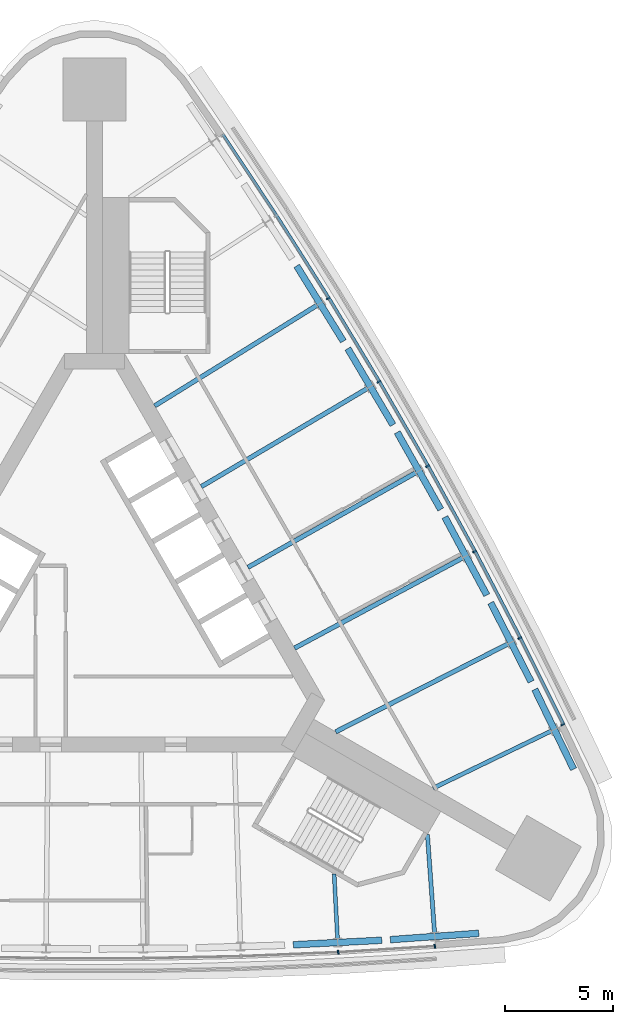
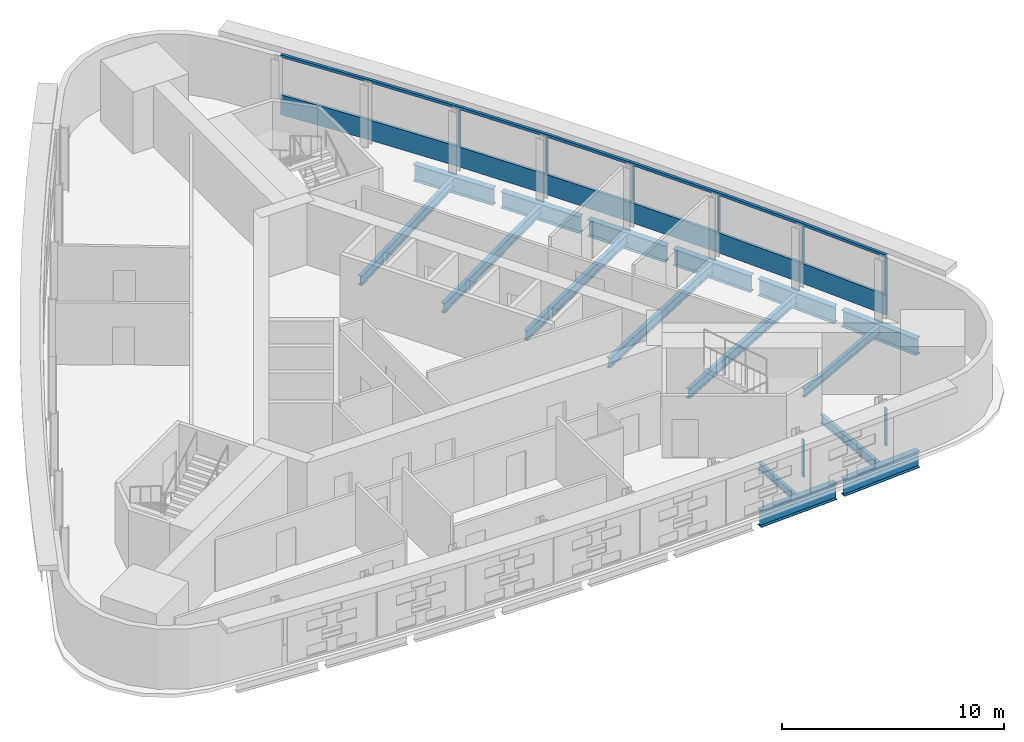
# One storey, part 5 of 12: 16 beams, 10 members, 2 elements without a shape of their own.
"""IFC4 building model written with IfcOpenShell, lengths in metres."""

import ifcopenshell
import ifcopenshell.guid

model = None  # the IFC model being written
_history = None  # IfcOwnerHistory: only IFC2X3 demands one
_inside = {}  # id of a spatial element -> (the spatial element, [elements in it])
_under = {}  # id of a project, library or spatial element -> (it, [spatial elements below it])
_declared = {}  # id of a project -> (the project, [libraries it declares])
_typed = {}  # id of a type object -> (the type object, [elements of that type])
_made_of = {}  # id of a material, layer set ... -> (it, [elements and type objects made of it])


def new_model(schema):
    """Start an empty IFC model of exactly this schema.

    Asked for "IFC4X3", IfcOpenShell would pick the latest addendum, in which some entities
    have other attributes; the version numbers below select the first issue.
    IFC2X3 requires an IfcOwnerHistory on every rooted entity: one is made here for all.
    """
    global model, _history
    if schema == "IFC4X3":
        model = ifcopenshell.file(schema_version=(4, 3, 0, 0))
    else:
        model = ifcopenshell.file(schema=schema)
    _inside.clear()
    _under.clear()
    _declared.clear()
    _typed.clear()
    _made_of.clear()
    _history = None
    if model.schema == "IFC2X3":
        org = make("IfcOrganization", Name="unknown")
        user = make(
            "IfcPersonAndOrganization",
            ThePerson=make("IfcPerson", FamilyName="unknown"),
            TheOrganization=org,
        )
        app = make(
            "IfcApplication",
            ApplicationDeveloper=org,
            Version="unknown",
            ApplicationFullName="unknown",
            ApplicationIdentifier="unknown",
        )
        _history = make(
            "IfcOwnerHistory",
            OwningUser=user,
            OwningApplication=app,
            ChangeAction="ADDED",
            CreationDate=0,
        )
    return model


def make(cls, **values):
    """One entity of the class cls with the attributes given. An attribute that is None is left unset."""
    return model.create_entity(
        cls, **{name: value for name, value in values.items() if value is not None}
    )


def rooted(cls, **values):
    """An entity with a GlobalId (a new one), such as an element, a storey or a relation."""
    return make(cls, GlobalId=ifcopenshell.guid.new(), OwnerHistory=_history, **values)


def si_unit(unit_type, name, prefix=None):
    """IfcSIUnit, for example si_unit("LENGTHUNIT", "METRE", prefix="MILLI")."""
    return make("IfcSIUnit", UnitType=unit_type, Prefix=prefix, Name=name)


def assignment(units):
    """IfcUnitAssignment: the units of a project."""
    return None if units is None else make("IfcUnitAssignment", Units=units)


def point(xyz):
    """IfcCartesianPoint."""
    return None if xyz is None else make("IfcCartesianPoint", Coordinates=xyz)


def direction(xyz):
    """IfcDirection."""
    return None if xyz is None else make("IfcDirection", DirectionRatios=xyz)


def frame(location, z_axis=None, x_axis=None):
    """IfcAxis2Placement3D, a coordinate frame: its origin and axes. An axis left out is left unset."""
    return make(
        "IfcAxis2Placement3D",
        Location=point(location),
        Axis=direction(z_axis),
        RefDirection=direction(x_axis),
    )


def frame_2d(location, x_axis=None):
    """IfcAxis2Placement2D, a coordinate frame in the plane: its origin and x axis."""
    return make(
        "IfcAxis2Placement2D", Location=point(location), RefDirection=direction(x_axis)
    )


def origin():
    """The frame at (0, 0, 0) with its axes left unset."""
    return frame((0.0, 0.0, 0.0))


def origin_2d():
    """The frame at (0, 0) in the plane with its x axis left unset."""
    return frame_2d((0.0, 0.0))


def place(relative_to, where):
    """IfcLocalPlacement: puts the frame where relative to a parent placement (None: the world)."""
    return make(
        "IfcLocalPlacement", PlacementRelTo=relative_to, RelativePlacement=where
    )


def context(
    kind, dimensions, precision=None, world=None, true_north=None, identifier=None
):
    """IfcGeometricRepresentationContext, for example the 3D "Model" context."""
    return make(
        "IfcGeometricRepresentationContext",
        ContextIdentifier=identifier,
        ContextType=kind,
        CoordinateSpaceDimension=dimensions,
        Precision=precision,
        WorldCoordinateSystem=world,
        TrueNorth=true_north,
    )


def subcontext(parent, identifier, kind, view, scale=None):
    """IfcGeometricRepresentationSubContext, for example "Body" below "Model"."""
    return make(
        "IfcGeometricRepresentationSubContext",
        ContextIdentifier=identifier,
        ContextType=kind,
        ParentContext=parent,
        TargetScale=scale,
        TargetView=view,
    )


def project(units=None, contexts=None):
    """IfcProject with its units and contexts."""
    return rooted(
        "IfcProject",
        Name="project",
        RepresentationContexts=contexts,
        UnitsInContext=assignment(units),
    )


def spatial(cls, under=None, at=None, **own):
    """A site, building, storey or space (cls), placed at a placement, below another one or the project."""
    s = rooted(cls, ObjectPlacement=at, **own)
    if under is not None:
        _under.setdefault(under.id(), (under, []))[1].append(s)
    return s


def polyline(points):
    """IfcPolyline through the points."""
    return make("IfcPolyline", Points=[point(p) for p in points])


def profile(cls, at=None, kind="AREA", **sizes):
    """A parametric profile (cls). Its sizes go by their IFC names, for example OverallWidth=200.0."""
    return make(cls, ProfileType=kind, Position=at, **sizes)


def rectangle(**sizes):
    """IfcRectangleProfileDef."""
    return profile("IfcRectangleProfileDef", **sizes)


def i_section(**sizes):
    """IfcIShapeProfileDef."""
    return profile("IfcIShapeProfileDef", **sizes)


def outline(outer, holes=None, kind="AREA"):
    """IfcArbitraryClosedProfileDef: a profile drawn as a closed curve; with holes, ...WithVoids."""
    if holes is None:
        return make("IfcArbitraryClosedProfileDef", ProfileType=kind, OuterCurve=outer)
    return make(
        "IfcArbitraryProfileDefWithVoids",
        ProfileType=kind,
        OuterCurve=outer,
        InnerCurves=holes,
    )


def extrude(swept, where, along, depth):
    """IfcExtrudedAreaSolid: the profile swept, set in the frame where, extruded along a direction by depth."""
    return make(
        "IfcExtrudedAreaSolid",
        SweptArea=swept,
        Position=where,
        ExtrudedDirection=direction(along),
        Depth=depth,
    )


def shape(context_of_items, identifier, shape_type, items):
    """IfcShapeRepresentation: the items that make up one representation, for example the "Body"."""
    return make(
        "IfcShapeRepresentation",
        ContextOfItems=context_of_items,
        RepresentationIdentifier=identifier,
        RepresentationType=shape_type,
        Items=items,
    )


def material(Name=None, Category=None):
    """IfcMaterial."""
    return make("IfcMaterial", Name=Name, Category=Category)


def material_profile(
    of_material, cross_section, Name=None, Category=None, Priority=None
):
    """IfcMaterialProfile: a cross section and its material."""
    return make(
        "IfcMaterialProfile",
        Name=Name,
        Material=of_material,
        Profile=cross_section,
        Priority=Priority,
        Category=Category,
    )


def profile_set(profiles, Name=None, composite=None):
    """IfcMaterialProfileSet."""
    return make(
        "IfcMaterialProfileSet",
        Name=Name,
        MaterialProfiles=profiles,
        CompositeProfile=composite,
    )


def made_of(thing, what):
    """Note that an element or type object is made of a material, layer set ...; save() writes the relation."""
    if what is not None:
        _made_of.setdefault(what.id(), (what, []))[1].append(thing)
    return thing


def type_object(cls, material=None, **own):
    """A type object (cls), such as IfcWallType, which elements share."""
    return made_of(rooted(cls, **own), material)


def element(
    cls,
    number,
    at=None,
    inside=None,
    cuts=None,
    type_object=None,
    material=None,
    context=None,
    identifier="Body",
    shape_type=None,
    held_by="IfcProductDefinitionShape",
    body=None,
    shapes=None,
    **own,
):
    """One element of the class cls, such as IfcWall. Its Tag is "e" and its number.

    at: its placement. inside: the storey or other place that contains it. cuts: it is an
    opening in that element (IfcRelVoidsElement). A single representation is given by context,
    identifier, shape_type and body (its items); several are given by shapes. held_by: the class
    of the entity that holds the representations. save() writes the other relations.
    """
    e = rooted(cls, Tag="e%d" % number, ObjectPlacement=at, **own)
    if body is not None:
        shapes = [shape(context, identifier, shape_type, body)]
    if shapes is not None:
        e.Representation = make(held_by, Representations=shapes)
    if inside is not None:
        _inside.setdefault(inside.id(), (inside, []))[1].append(e)
    if cuts is not None:
        rooted(
            "IfcRelVoidsElement", RelatingBuildingElement=cuts, RelatedOpeningElement=e
        )
    if type_object is not None:
        _typed.setdefault(type_object.id(), (type_object, []))[1].append(e)
    return made_of(e, material)


def aggregate(whole, parts):
    """IfcRelAggregates: a whole, such as a stair, and the parts it consists of."""
    return rooted("IfcRelAggregates", RelatingObject=whole, RelatedObjects=parts)


def save(model, path):
    """Write the relations noted so far, then the file.

    IfcRelAggregates (storeys below a building ...), IfcRelContainedInSpatialStructure (elements
    in a storey), IfcRelDefinesByType, IfcRelAssociatesMaterial and IfcRelDeclares: one each for
    every whole, place, type object, material and project.
    """
    for whole, parts in _under.values():
        aggregate(whole, parts)
    for where, things in _inside.values():
        rooted(
            "IfcRelContainedInSpatialStructure",
            RelatedElements=things,
            RelatingStructure=where,
        )
    for kind, things in _typed.values():
        rooted("IfcRelDefinesByType", RelatedObjects=things, RelatingType=kind)
    for what, things in _made_of.values():
        rooted("IfcRelAssociatesMaterial", RelatedObjects=things, RelatingMaterial=what)
    for by, libraries in _declared.values():
        rooted("IfcRelDeclares", RelatingContext=by, RelatedDefinitions=libraries)
    model.write(path)


model = new_model("IFC4")

# Units and contexts
model_context = context("Model", 3, precision=1e-05, world=origin(), true_north=direction((0.0, 1.0)))
body_context = subcontext(model_context, "Body", "Model", "MODEL_VIEW")
ifc_project = project(units=[si_unit("LENGTHUNIT", "METRE"), si_unit("AREAUNIT", "SQUARE_METRE"), si_unit("VOLUMEUNIT", "CUBIC_METRE"), si_unit("PLANEANGLEUNIT", "RADIAN"), si_unit("MASSUNIT", "GRAM", prefix="KILO")], contexts=[model_context])

# Site, building, storey
site_placement = place(None, origin())
site = spatial("IfcSite", under=ifc_project, at=site_placement, CompositionType="ELEMENT")
building_placement = place(site_placement, origin())
building = spatial("IfcBuilding", under=site, at=building_placement, Name="Noor Cloister Tower", CompositionType="ELEMENT")
storey_placement = place(building_placement, frame((0.0, 0.0, 150.89990234375)))
storey = spatial("IfcBuildingStorey", under=building, at=storey_placement, Name="L38", CompositionType="ELEMENT", Elevation=150.89990234375)

# Curtain wall, member
ifc_material_1 = material(Name="Aluminium 6063-T6 anodised", Category="aluminium")
curtain_wall_type = type_object("IfcCurtainWallType", Name="Ribbon curtain wall, upper tower CW5", PredefinedType="NOTDEFINED", material=ifc_material_1)
curtain_wall_1_placement = place(storey_placement, origin())
curtain_wall_1 = element("IfcCurtainWall", 1, at=curtain_wall_1_placement, inside=storey, type_object=curtain_wall_type, Name="CW5 L38 NE run 3", PredefinedType="NOTDEFINED")
ifc_material_2 = material(Name="Aluminium 6063-T6 anodised", Category="aluminium")
member_type_1 = type_object("IfcMemberType", Name="Head transom CW5 150", PredefinedType="USERDEFINED", material=ifc_material_2)
member_1_placement = place(storey_placement, frame((0.0, 0.0, 3.150146484375)))
member_1 = element("IfcMember", 2, at=member_1_placement, type_object=member_type_1, Name="CW5 head transom", ObjectType="TRANSOM", PredefinedType="USERDEFINED", context=body_context, shape_type="SweptSolid", body=[
    extrude(outline(polyline([(21.703857421875, -5.639892578125), (19.700439453125, -1.610595703125), (17.61376953125, 2.37646484375), (15.445068359375, 6.3193359375), (13.195068359375, 10.21630859375), (10.864990234375, 14.06591796875), (8.455322265625, 17.8662109375), (5.967529296875, 21.615966796875), (5.850830078125, 21.53857421875), (8.337890625, 17.7900390625), (10.745849609375, 13.9921875), (13.07470703125, 10.14501953125), (15.3232421875, 6.25048828125), (17.490478515625, 2.310302734375), (19.57568359375, -1.674072265625), (21.578369140625, -5.7021484375), (21.703857421875, -5.639892578125)])), origin(), (0.0, 0.0, 1.0), 0.14990234375),
])

# Curtain wall, members
curtain_wall_2_placement = place(storey_placement, origin())
curtain_wall_2 = element("IfcCurtainWall", 3, at=curtain_wall_2_placement, inside=storey, type_object=curtain_wall_type, Name="CW5 L38 S run 2", PredefinedType="NOTDEFINED")
ifc_material_3 = material(Name="Aluminium 6063-T6 anodised", Category="aluminium")
ifc_material_profile_1 = material_profile(ifc_material_3, rectangle(XDim=0.179931640625, YDim=0.070068359375, at=origin_2d()), Name="180 x 70 mullion")
ifc_profile_set_1 = profile_set([ifc_material_profile_1], Name="Aluminium 6063-T6 anodised")
member_type_2 = type_object("IfcMemberType", Name="Mullion CW5 70 x 180", PredefinedType="MULLION", material=ifc_profile_set_1)
member_2_placement = place(storey_placement, frame((11.23974609375, -16.15576171875, 1.10009765625), z_axis=(0.0, 0.0, 1.0), x_axis=(-0.051798601111, 0.998657551377, 0.0)))
member_2 = element("IfcMember", 4, at=member_2_placement, type_object=member_type_2, Name="CW5 mullion 7", PredefinedType="MULLION", context=body_context, shape_type="SweptSolid", body=[
    extrude(rectangle(XDim=0.179931640625, YDim=0.070068359375, at=origin_2d()), origin(), (0.0, 0.0, 1.0), 2.050048828125),
])
member_3_placement = place(storey_placement, frame((15.695068359375, -15.87841796875, 1.10009765625), z_axis=(0.0, 0.0, 1.0), x_axis=(-0.06214607862, 0.998067064336, 0.0)))
member_3 = element("IfcMember", 5, at=member_3_placement, type_object=member_type_2, Name="CW5 mullion 8", PredefinedType="MULLION", context=body_context, shape_type="SweptSolid", body=[
    extrude(rectangle(XDim=0.179931640625, YDim=0.070068359375, at=origin_2d()), origin(), (0.0, 0.0, 1.0), 2.050048828125),
])
aggregate(curtain_wall_2, [member_2, member_3])

# Member
member_4_placement = place(storey_placement, frame((21.5986328125, -5.653076171875, 1.10009765625), z_axis=(0.0, 0.0, 1.0), x_axis=(-0.895424471705, -0.445213449338, 0.0)))
member_4 = element("IfcMember", 6, at=member_4_placement, type_object=member_type_2, Name="CW5 mullion 1", PredefinedType="MULLION", context=body_context, shape_type="SweptSolid", body=[
    extrude(rectangle(XDim=0.179931640625, YDim=0.070068359375, at=origin_2d()), origin(), (0.0, 0.0, 1.0), 2.050048828125),
])

member_5_placement = place(storey_placement, frame((19.611328125, -1.656005859375, 1.10009765625), z_axis=(0.0, 0.0, 1.0), x_axis=(-0.890762109729, -0.454469871246, 0.0)))
member_5 = element("IfcMember", 7, at=member_5_placement, type_object=member_type_2, Name="CW5 mullion 2", PredefinedType="MULLION", context=body_context, shape_type="SweptSolid", body=[
    extrude(rectangle(XDim=0.179931640625, YDim=0.070068359375, at=origin_2d()), origin(), (0.0, 0.0, 1.0), 2.050048828125),
])

member_6_placement = place(storey_placement, frame((17.525634765625, 2.3291015625, 1.10009765625), z_axis=(0.0, 0.0, 1.0), x_axis=(-0.881150842648, -0.472835269942, 0.0)))
member_6 = element("IfcMember", 8, at=member_6_placement, type_object=member_type_2, Name="CW5 mullion 3", PredefinedType="MULLION", context=body_context, shape_type="SweptSolid", body=[
    extrude(rectangle(XDim=0.179931640625, YDim=0.070068359375, at=origin_2d()), origin(), (0.0, 0.0, 1.0), 2.050048828125),
])

member_7_placement = place(storey_placement, frame((15.35791015625, 6.27001953125, 1.10009765625), z_axis=(0.0, 0.0, 1.0), x_axis=(-0.871160976485, -0.49099750819, 0.0)))
member_7 = element("IfcMember", 9, at=member_7_placement, type_object=member_type_2, Name="CW5 mullion 4", PredefinedType="MULLION", context=body_context, shape_type="SweptSolid", body=[
    extrude(rectangle(XDim=0.179931640625, YDim=0.070068359375, at=origin_2d()), origin(), (0.0, 0.0, 1.0), 2.050048828125),
])

member_8_placement = place(storey_placement, frame((13.109130859375, 10.165283203125, 1.10009765625), z_axis=(0.0, 0.0, 1.0), x_axis=(-0.86079680353, -0.508948782327, 0.0)))
member_8 = element("IfcMember", 10, at=member_8_placement, type_object=member_type_2, Name="CW5 mullion 5", PredefinedType="MULLION", context=body_context, shape_type="SweptSolid", body=[
    extrude(rectangle(XDim=0.179931640625, YDim=0.070068359375, at=origin_2d()), origin(), (0.0, 0.0, 1.0), 2.050048828125),
])

member_9_placement = place(storey_placement, frame((10.780029296875, 14.01318359375, 1.10009765625), z_axis=(0.0, 0.0, 1.0), x_axis=(-0.850062776899, -0.526681379328, 0.0)))
member_9 = element("IfcMember", 11, at=member_9_placement, type_object=member_type_2, Name="CW5 mullion 6", PredefinedType="MULLION", context=body_context, shape_type="SweptSolid", body=[
    extrude(rectangle(XDim=0.179931640625, YDim=0.070068359375, at=origin_2d()), origin(), (0.0, 0.0, 1.0), 2.050048828125),
])

# Beams
ifc_material_4 = material(Name="Steel ASTM A992 Gr 50", Category="steel")
ifc_material_profile_2 = material_profile(ifc_material_4, i_section(OverallWidth=0.177978515625, OverallDepth=0.406005859375, WebThickness=0.0078125, FlangeThickness=0.0126953125, FilletRadius=0.01025390625, at=origin_2d()), Name="W410x60")
ifc_profile_set_2 = profile_set([ifc_material_profile_2], Name="Steel ASTM A992 Gr 50")
beam_type_1 = type_object("IfcBeamType", Name="Radial beam W410x60", PredefinedType="BEAM", material=ifc_profile_set_2)
beam_1_placement = place(storey_placement, frame((11.20849609375, -15.55419921875, -0.40283203125), z_axis=(-0.051806805585, 0.998657125792, 0.0), x_axis=(-0.998657125792, -0.051806805585, 0.0)))
element("IfcBeam", 12, at=beam_1_placement, inside=storey, type_object=beam_type_1, Name="Radial beam S 07 L38", PredefinedType="BEAM", context=body_context, shape_type="SweptSolid", body=[
    extrude(i_section(OverallWidth=0.177978515625, OverallDepth=0.406005859375, WebThickness=0.0078125, FlangeThickness=0.0126953125, FilletRadius=0.01025390625, at=origin_2d()), origin(), (0.0, 0.0, 1.0), 3.01611328125),
])
ifc_material_5 = material(Name="Steel ASTM A992 Gr 50", Category="steel")
ifc_material_profile_3 = material_profile(ifc_material_5, i_section(OverallWidth=0.19091796875, OverallDepth=0.45703125, WebThickness=0.009033203125, FlangeThickness=0.014404296875, FilletRadius=0.01025390625, at=origin_2d()), Name="W460x74")
ifc_profile_set_3 = profile_set([ifc_material_profile_3], Name="Steel ASTM A992 Gr 50")
beam_type_2 = type_object("IfcBeamType", Name="Radial beam W460x74", PredefinedType="BEAM", material=ifc_profile_set_3)
beam_2_placement = place(storey_placement, frame((15.685302734375, -15.275390625, -0.428466796875), z_axis=(-0.072515399506, 0.997367292844, 0.0), x_axis=(-0.997367292844, -0.072515399506, 0.0)))
element("IfcBeam", 13, at=beam_2_placement, inside=storey, type_object=beam_type_2, Name="Radial beam S 08 L38", PredefinedType="BEAM", context=body_context, shape_type="SweptSolid", body=[
    extrude(i_section(OverallWidth=0.19091796875, OverallDepth=0.45703125, WebThickness=0.009033203125, FlangeThickness=0.014404296875, FilletRadius=0.01025390625, at=origin_2d()), origin(), (0.0, 0.0, 1.0), 4.568603515625),
])
beam_3_placement = place(storey_placement, frame((21.071533203125, -5.946044921875, -0.428466796875), z_axis=(-0.899984289405, -0.435922331183, 0.0), x_axis=(0.435922331183, -0.899984289405, 0.0)))
element("IfcBeam", 14, at=beam_3_placement, inside=storey, type_object=beam_type_2, Name="Radial beam NE 01 L38", PredefinedType="BEAM", context=body_context, shape_type="SweptSolid", body=[
    extrude(i_section(OverallWidth=0.19091796875, OverallDepth=0.45703125, WebThickness=0.009033203125, FlangeThickness=0.014404296875, FilletRadius=0.01025390625, at=origin_2d()), origin(), (0.0, 0.0, 1.0), 6.055908203125),
])
ifc_material_6 = material(Name="Steel ASTM A992 Gr 50", Category="steel")
ifc_material_profile_4 = material_profile(ifc_material_6, i_section(OverallWidth=0.208984375, OverallDepth=0.532958984375, WebThickness=0.01025390625, FlangeThickness=0.015625, FilletRadius=0.0126953125, at=origin_2d()), Name="W530x92")
ifc_profile_set_4 = profile_set([ifc_material_profile_4], Name="Steel ASTM A992 Gr 50")
beam_type_3 = type_object("IfcBeamType", Name="Radial beam W530x92", PredefinedType="BEAM", material=ifc_profile_set_4)
beam_4_placement = place(storey_placement, frame((19.07470703125, -1.929931640625, -0.46630859375), z_axis=(-0.890766613498, -0.45446104374, 0.0), x_axis=(0.45446104374, -0.890766613498, 0.0)))
element("IfcBeam", 15, at=beam_4_placement, inside=storey, type_object=beam_type_3, Name="Radial beam NE 02 L38", PredefinedType="BEAM", context=body_context, shape_type="SweptSolid", body=[
    extrude(i_section(OverallWidth=0.208984375, OverallDepth=0.532958984375, WebThickness=0.01025390625, FlangeThickness=0.015625, FilletRadius=0.0126953125, at=origin_2d()), origin(), (0.0, 0.0, 1.0), 8.928955078125),
])
beam_5_placement = place(storey_placement, frame((16.994873046875, 2.044189453125, -0.46630859375), z_axis=(-0.881155765553, -0.472826095762, 0.0), x_axis=(0.472826095762, -0.881155765553, 0.0)))
element("IfcBeam", 16, at=beam_5_placement, inside=storey, type_object=beam_type_3, Name="Radial beam NE 03 L38", PredefinedType="BEAM", context=body_context, shape_type="SweptSolid", body=[
    extrude(i_section(OverallWidth=0.208984375, OverallDepth=0.532958984375, WebThickness=0.01025390625, FlangeThickness=0.015625, FilletRadius=0.0126953125, at=origin_2d()), origin(), (0.0, 0.0, 1.0), 8.816162109375),
])
beam_6_placement = place(storey_placement, frame((14.833251953125, 5.974365234375, -0.46630859375), z_axis=(-0.871160097896, -0.49099906704, 0.0), x_axis=(0.49099906704, -0.871160097896, 0.0)))
element("IfcBeam", 17, at=beam_6_placement, inside=storey, type_object=beam_type_3, Name="Radial beam NE 04 L38", PredefinedType="BEAM", context=body_context, shape_type="SweptSolid", body=[
    extrude(i_section(OverallWidth=0.208984375, OverallDepth=0.532958984375, WebThickness=0.01025390625, FlangeThickness=0.015625, FilletRadius=0.0126953125, at=origin_2d()), origin(), (0.0, 0.0, 1.0), 8.905517578125),
])
beam_7_placement = place(storey_placement, frame((12.590576171875, 9.858642578125, -0.46630859375), z_axis=(-0.86080588609, -0.508933420471, 0.0), x_axis=(0.508933420471, -0.86080588609, 0.0)))
element("IfcBeam", 18, at=beam_7_placement, inside=storey, type_object=beam_type_3, Name="Radial beam NE 05 L38", PredefinedType="BEAM", context=body_context, shape_type="SweptSolid", body=[
    extrude(i_section(OverallWidth=0.208984375, OverallDepth=0.532958984375, WebThickness=0.01025390625, FlangeThickness=0.015625, FilletRadius=0.0126953125, at=origin_2d()), origin(), (0.0, 0.0, 1.0), 8.9052734375),
])
beam_8_placement = place(storey_placement, frame((10.267822265625, 13.69580078125, -0.46630859375), z_axis=(-0.850065611431, -0.526676804372, 0.0), x_axis=(0.526676804372, -0.850065611431, 0.0)))
element("IfcBeam", 19, at=beam_8_placement, inside=storey, type_object=beam_type_3, Name="Radial beam NE 06 L38", PredefinedType="BEAM", context=body_context, shape_type="SweptSolid", body=[
    extrude(i_section(OverallWidth=0.208984375, OverallDepth=0.532958984375, WebThickness=0.01025390625, FlangeThickness=0.015625, FilletRadius=0.0126953125, at=origin_2d()), origin(), (0.0, 0.0, 1.0), 8.816162109375),
])

# Member
ifc_material_7 = material(Name="Aluminium 6063-T6 anodised", Category="aluminium")
member_type_3 = type_object("IfcMemberType", Name="Sill transom CW5 1100", PredefinedType="USERDEFINED", material=ifc_material_7)
member_10_placement = place(storey_placement, origin())
member_10 = element("IfcMember", 20, at=member_10_placement, type_object=member_type_3, Name="CW5 sill transom", ObjectType="TRANSOM", PredefinedType="USERDEFINED", context=body_context, shape_type="SweptSolid", body=[
    extrude(outline(polyline([(21.703857421875, -5.639892578125), (19.700439453125, -1.610595703125), (17.61376953125, 2.37646484375), (15.445068359375, 6.3193359375), (13.195068359375, 10.21630859375), (10.864990234375, 14.06591796875), (8.455322265625, 17.8662109375), (5.967529296875, 21.615966796875), (5.850830078125, 21.53857421875), (8.337890625, 17.7900390625), (10.745849609375, 13.9921875), (13.07470703125, 10.14501953125), (15.3232421875, 6.25048828125), (17.490478515625, 2.310302734375), (19.57568359375, -1.674072265625), (21.578369140625, -5.7021484375), (21.703857421875, -5.639892578125)])), origin(), (0.0, 0.0, 1.0), 1.10009765625),
])

aggregate(curtain_wall_1, [member_4, member_5, member_6, member_7, member_8, member_9, member_10, member_1])

# Beams
ifc_material_8 = material(Name="Steel ASTM A992 Gr 50", Category="steel")
ifc_material_profile_5 = material_profile(ifc_material_8, i_section(OverallWidth=0.304931640625, OverallDepth=0.9189453125, WebThickness=0.017333984375, FlangeThickness=0.02783203125, FilletRadius=0.01904296875, at=origin_2d()), Name="W920x253")
ifc_profile_set_5 = profile_set([ifc_material_profile_5], Name="Steel ASTM A992 Gr 50")
beam_type_4 = type_object("IfcBeamType", Name="Transfer girder W920x253", PredefinedType="BEAM", material=ifc_profile_set_5)
beam_9_placement = place(storey_placement, frame((9.16552734375, -15.811767578125, -0.659423828125), z_axis=(0.998684451727, 0.05127734274, 0.0), x_axis=(-0.05127734274, 0.998684451727, 0.0)))
element("IfcBeam", 21, at=beam_9_placement, inside=storey, type_object=beam_type_4, Name="Transfer girder S 07 L38", PredefinedType="BEAM", context=body_context, shape_type="SweptSolid", body=[
    extrude(i_section(OverallWidth=0.304931640625, OverallDepth=0.9189453125, WebThickness=0.017333984375, FlangeThickness=0.02783203125, FilletRadius=0.01904296875, at=origin_2d()), origin(), (0.0, 0.0, 1.0), 4.08984375),
])
for number, where, z_axis, x_axis, name in (
    (22, (13.64453125, -15.574951171875, -0.659423828125), (0.997426476939, 0.071696744003, 0.0), (-0.071696744003, 0.997426476939, 0.0), "Transfer girder S 08 L38"),
    (23, (22.09619140625, -7.708251953125, -0.659423828125), (-0.436627929687, 0.899642179434, 0.0), (-0.899642179434, -0.436627929687, 0.0), "Transfer girder NE 01 L38"),
    (24, (20.13671875, -3.673583984375, -0.659423828125), (-0.454957484101, 0.890513159735, 0.0), (-0.890513159735, -0.454957484101, 0.0), "Transfer girder NE 02 L38"),
):
    element("IfcBeam", number, at=place(storey_placement, frame(where, z_axis=z_axis, x_axis=x_axis)), inside=storey, type_object=beam_type_4, Name=name, PredefinedType="BEAM", context=body_context, shape_type="SweptSolid", body=[
        extrude(i_section(OverallWidth=0.304931640625, OverallDepth=0.9189453125, WebThickness=0.017333984375, FlangeThickness=0.02783203125, FilletRadius=0.01904296875, at=origin_2d()), origin(), (0.0, 0.0, 1.0), 4.089599609375),
    ])
beam_10_placement = place(storey_placement, frame((18.09423828125, 0.3193359375, -0.659423828125), z_axis=(-0.473145514106, 0.880984291847, 0.0), x_axis=(-0.880984291847, -0.473145514106, 0.0)))
element("IfcBeam", 25, at=beam_10_placement, inside=storey, type_object=beam_type_4, Name="Transfer girder NE 03 L38", PredefinedType="BEAM", context=body_context, shape_type="SweptSolid", body=[
    extrude(i_section(OverallWidth=0.304931640625, OverallDepth=0.9189453125, WebThickness=0.017333984375, FlangeThickness=0.02783203125, FilletRadius=0.01904296875, at=origin_2d()), origin(), (0.0, 0.0, 1.0), 4.08984375),
])
for number, where, z_axis, x_axis, name in (
    (26, (15.969482421875, 4.26953125, -0.659423828125), (-0.491122612788, 0.871090454091, 0.0), (-0.871090454091, -0.491122612788, 0.0), "Transfer girder NE 04 L38"),
    (27, (13.76318359375, 8.174560546875, -0.659423828125), (-0.508866071809, 0.860845701018, 0.0), (-0.860845701018, -0.508866071809, 0.0), "Transfer girder NE 05 L38"),
    (28, (11.4765625, 12.033203125, -0.659423828125), (-0.526420379134, 0.850224431802, 0.0), (-0.850224431802, -0.526420379134, 0.0), "Transfer girder NE 06 L38"),
):
    element("IfcBeam", number, at=place(storey_placement, frame(where, z_axis=z_axis, x_axis=x_axis)), inside=storey, type_object=beam_type_4, Name=name, PredefinedType="BEAM", context=body_context, shape_type="SweptSolid", body=[
        extrude(i_section(OverallWidth=0.304931640625, OverallDepth=0.9189453125, WebThickness=0.017333984375, FlangeThickness=0.02783203125, FilletRadius=0.01904296875, at=origin_2d()), origin(), (0.0, 0.0, 1.0), 4.089599609375),
    ])

save(model, "model.ifc")
